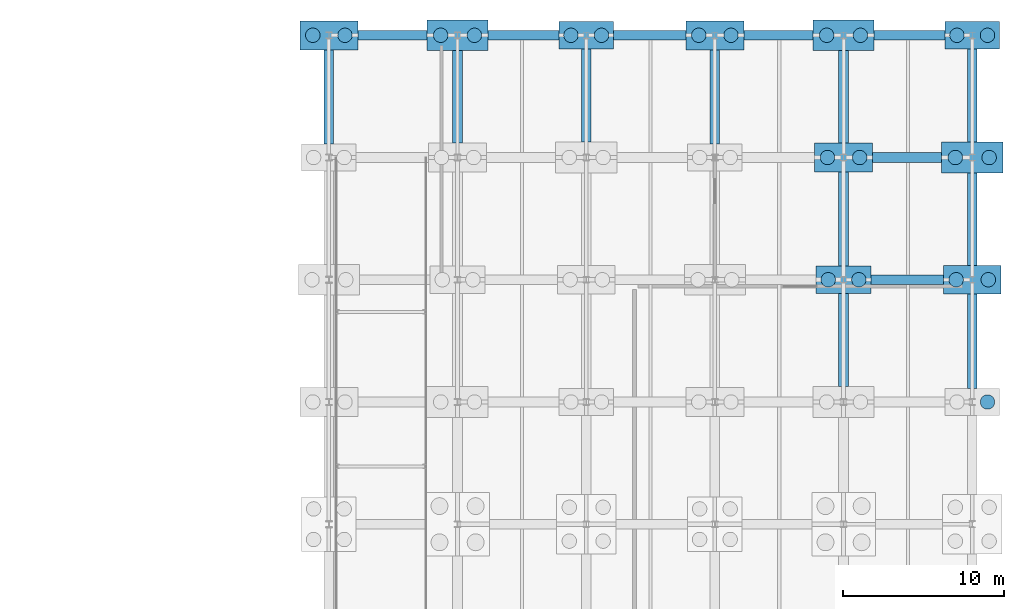
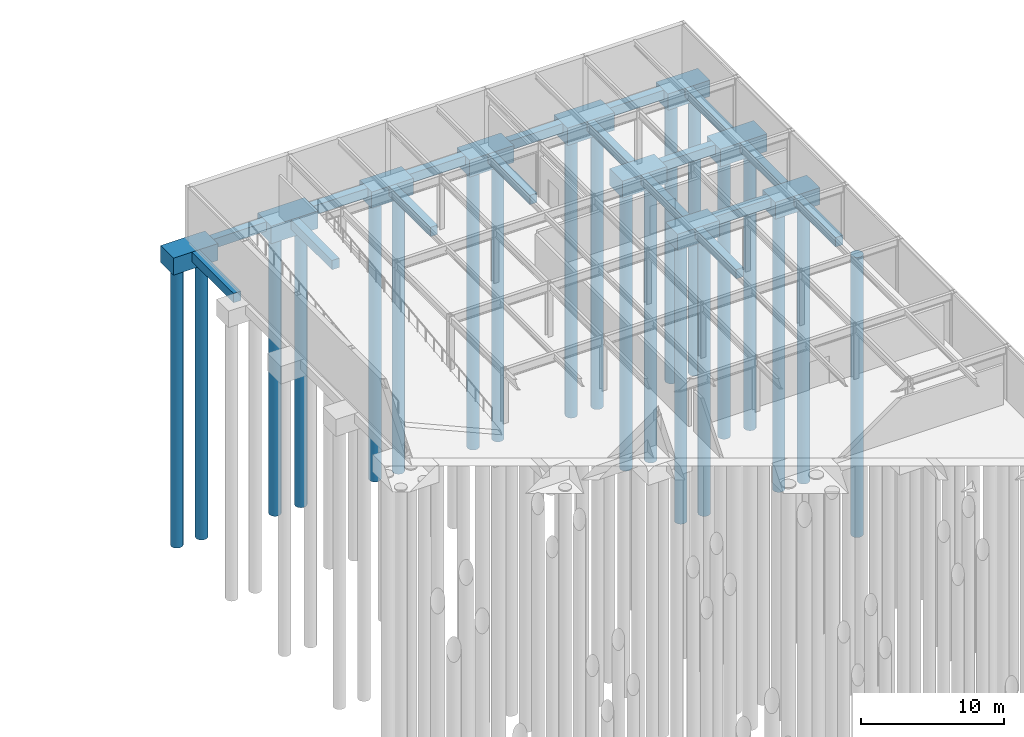
# One storey, part 4 of 21: 27 footings, 21 piles.
"""IFC4 building model written with IfcOpenShell, lengths in metres."""

from ifc_helpers import new_model, si_unit, direction, frame, origin, origin_2d, place, context, subcontext, project, spatial, rectangle, circle, extrude, material, material_profile, profile_set, type_object, element, save


model = new_model("IFC4")

# Units and contexts
model_context = context("Model", 3, precision=1e-05, world=origin(), true_north=direction((0.0, 1.0)))
body_context = subcontext(model_context, "Body", "Model", "MODEL_VIEW")
ifc_project = project(units=[si_unit("LENGTHUNIT", "METRE"), si_unit("AREAUNIT", "SQUARE_METRE"), si_unit("VOLUMEUNIT", "CUBIC_METRE"), si_unit("PLANEANGLEUNIT", "RADIAN"), si_unit("MASSUNIT", "GRAM", prefix="KILO")], contexts=[model_context])

# Site, building, storey
site_placement = place(None, origin())
site = spatial("IfcSite", under=ifc_project, at=site_placement, CompositionType="ELEMENT")
building_placement = place(site_placement, origin())
building = spatial("IfcBuilding", under=site, at=building_placement, Name="Zulena Civic Courthouse", CompositionType="ELEMENT")
storey_placement = place(building_placement, frame((0.0, 0.0, -4.800048828125)))
storey = spatial("IfcBuildingStorey", under=building, at=storey_placement, Name="B01", CompositionType="ELEMENT", Elevation=-4.800048828125)

# Piles
ifc_material_1 = material(Name="Concrete C40/50", Category="concrete")
ifc_material_profile_1 = material_profile(ifc_material_1, circle(Radius=0.449951171875, at=origin_2d()), Name="PILE900")
ifc_profile_set_1 = profile_set([ifc_material_profile_1], Name="Concrete C40/50")
pile_type = type_object("IfcPileType", Name="BoredPile_900", PredefinedType="BORED", material=ifc_profile_set_1)
for number, where, z_axis, x_axis, name in (
    (1, (67.0, 114.0, -1.800048828125), (0.0, 0.0, -1.0), (1.0, 0.0, 0.0), "pile:B01:034:1"),
    (2, (69.0, 114.0, -1.800048828125), (0.0, 0.0, -1.0), (1.0, 0.0, 0.0), "pile:B01:034:2"),
    (3, (74.949951171875, 114.0, -1.849853515625), (0.0, 0.0, -1.0), (1.0, 0.0, 0.0), "pile:B01:044:1"),
    (4, (77.050048828125, 114.0, -1.849853515625), (0.0, 0.0, -1.0), (1.0, 0.0, 0.0), "pile:B01:044:2"),
    (5, (83.050048828125, 114.0, -1.75), (0.0, 0.0, -1.0), (1.0, 0.0, 0.0), "pile:B01:054:1"),
    (6, (84.949951171875, 114.0, -1.75), (0.0, 0.0, -1.0), (1.0, 0.0, 0.0), "pile:B01:054:2"),
    (7, (91.0, 114.0, -1.800048828125), (0.0, 0.0, -1.0), (1.0, 0.0, 0.0), "pile:B01:064:1"),
    (8, (93.0, 114.0, -1.800048828125), (0.0, 0.0, -1.0), (1.0, 0.0, 0.0), "pile:B01:064:2"),
    (9, (99.050048828125, 98.800048828125, -1.75), (0.0, 0.0, -1.0), (1.0, 0.0, 0.0), "pile:B01:072:1"),
    (10, (100.949951171875, 98.800048828125, -1.75), (0.0, 0.0, -1.0), (1.0, 0.0, 0.0), "pile:B01:072:2"),
    (11, (99.0, 106.39990234375, -1.800048828125), (0.0, 0.0, -1.0), (1.0, 0.0, 0.0), "pile:B01:073:1"),
    (12, (101.0, 106.39990234375, -1.800048828125), (0.0, 0.0, -1.0), (1.0, 0.0, 0.0), "pile:B01:073:2"),
    (13, (98.949951171875, 114.0, -1.849853515625), (0.0, 0.0, -1.0), (1.0, 0.0, 0.0), "pile:B01:074:1"),
    (14, (101.050048828125, 114.0, -1.849853515625), (0.0, 0.0, -1.0), (1.0, 0.0, 0.0), "pile:B01:074:2"),
    (15, (108.949951171875, 91.199951171875, -1.75), (0.0, 0.0, -1.0), (1.0, 0.0, 0.0), "pile:B01:081:2"),
    (16, (107.0, 98.800048828125, -1.800048828125), (0.0, 0.0, -1.0), (1.0, 0.0, 0.0), "pile:B01:082:1"),
    (17, (109.0, 98.800048828125, -1.800048828125), (0.0, 0.0, -1.0), (1.0, 0.0, 0.0), "pile:B01:082:2"),
    (18, (106.949951171875, 106.39990234375, -1.849853515625), (0.0, 0.0, -1.0), (1.0, 0.0, 0.0), "pile:B01:083:1"),
    (19, (109.050048828125, 106.39990234375, -1.849853515625), (0.0, 0.0, -1.0), (1.0, 0.0, 0.0), "pile:B01:083:2"),
    (20, (107.050048828125, 114.0, -1.75), (0.0, 0.0, -1.0), (1.0, 0.0, 0.0), "pile:B01:084:1"),
    (21, (108.949951171875, 114.0, -1.75), (0.0, 0.0, -1.0), (1.0, 0.0, 0.0), "pile:B01:084:2"),
):
    element("IfcPile", number, at=place(storey_placement, frame(where, z_axis=z_axis, x_axis=x_axis)), inside=storey, type_object=pile_type, Name=name, PredefinedType="BORED", context=body_context, shape_type="SweptSolid", body=[
        extrude(circle(Radius=0.449951171875, at=origin_2d()), origin(), (0.0, 0.0, 1.0), 24.0),
    ])

# Footings
ifc_material_2 = material(Name="Concrete C35/45", Category="concrete")
ifc_material_profile_2 = material_profile(ifc_material_2, rectangle(XDim=0.60009765625, YDim=0.800048828125, at=origin_2d()), Name="RC600X800")
ifc_profile_set_2 = profile_set([ifc_material_profile_2], Name="Concrete C35/45")
footing_type_1 = type_object("IfcFootingType", Name="GroundBeam_600x800", PredefinedType="FOOTING_BEAM", material=ifc_profile_set_2)
footing_1_placement = place(storey_placement, frame((101.699951171875, 98.800048828125, -0.849853515625), z_axis=(1.0, 0.0, 0.0), x_axis=(0.0, 1.0, 0.0)))
element("IfcFooting", 22, at=footing_1_placement, inside=storey, type_object=footing_type_1, Name="gbeam:X:B01:064", PredefinedType="FOOTING_BEAM", context=body_context, shape_type="SweptSolid", body=[
    extrude(rectangle(XDim=0.60009765625, YDim=0.800048828125, at=origin_2d()), origin(), (0.0, 0.0, 1.0), 4.5),
])
for number, where, z_axis, x_axis, name in (
    (23, (101.800048828125, 106.39990234375, -0.849853515625), (1.0, 0.0, 0.0), (0.0, 1.0, 0.0), "gbeam:X:B01:069"),
    (24, (69.800048828125, 114.0, -0.849853515625), (1.0, 0.0, 0.0), (0.0, 1.0, 0.0), "gbeam:X:B01:070"),
):
    element("IfcFooting", number, at=place(storey_placement, frame(where, z_axis=z_axis, x_axis=x_axis)), inside=storey, type_object=footing_type_1, Name=name, PredefinedType="FOOTING_BEAM", context=body_context, shape_type="SweptSolid", body=[
        extrude(rectangle(XDim=0.60009765625, YDim=0.800048828125, at=origin_2d()), origin(), (0.0, 0.0, 1.0), 4.300048828125),
    ])
footing_2_placement = place(storey_placement, frame((77.89990234375, 114.0, -0.849853515625), z_axis=(1.0, 0.0, 0.0), x_axis=(0.0, 1.0, 0.0)))
element("IfcFooting", 25, at=footing_2_placement, inside=storey, type_object=footing_type_1, Name="gbeam:X:B01:071", PredefinedType="FOOTING_BEAM", context=body_context, shape_type="SweptSolid", body=[
    extrude(rectangle(XDim=0.60009765625, YDim=0.800048828125, at=origin_2d()), origin(), (0.0, 0.0, 1.0), 4.400146484375),
])
footing_3_placement = place(storey_placement, frame((85.699951171875, 114.0, -0.849853515625), z_axis=(1.0, 0.0, 0.0), x_axis=(0.0, 1.0, 0.0)))
element("IfcFooting", 26, at=footing_3_placement, inside=storey, type_object=footing_type_1, Name="gbeam:X:B01:072", PredefinedType="FOOTING_BEAM", context=body_context, shape_type="SweptSolid", body=[
    extrude(rectangle(XDim=0.60009765625, YDim=0.800048828125, at=origin_2d()), origin(), (0.0, 0.0, 1.0), 4.5),
])
footing_4_placement = place(storey_placement, frame((93.800048828125, 114.0, -0.849853515625), z_axis=(1.0, 0.0, 0.0), x_axis=(0.0, 1.0, 0.0)))
element("IfcFooting", 27, at=footing_4_placement, inside=storey, type_object=footing_type_1, Name="gbeam:X:B01:073", PredefinedType="FOOTING_BEAM", context=body_context, shape_type="SweptSolid", body=[
    extrude(rectangle(XDim=0.60009765625, YDim=0.800048828125, at=origin_2d()), origin(), (0.0, 0.0, 1.0), 4.300048828125),
])
footing_5_placement = place(storey_placement, frame((101.89990234375, 114.0, -0.849853515625), z_axis=(1.0, 0.0, 0.0), x_axis=(0.0, 1.0, 0.0)))
element("IfcFooting", 28, at=footing_5_placement, inside=storey, type_object=footing_type_1, Name="gbeam:X:B01:074", PredefinedType="FOOTING_BEAM", context=body_context, shape_type="SweptSolid", body=[
    extrude(rectangle(XDim=0.60009765625, YDim=0.800048828125, at=origin_2d()), origin(), (0.0, 0.0, 1.0), 4.400146484375),
])
footing_6_placement = place(storey_placement, frame((68.0, 107.25, -0.849853515625), z_axis=(0.0, 1.0, 0.0), x_axis=(-1.0, 0.0, 0.0)))
element("IfcFooting", 29, at=footing_6_placement, inside=storey, type_object=footing_type_1, Name="gbeam:Y:B01:099", PredefinedType="FOOTING_BEAM", context=body_context, shape_type="SweptSolid", body=[
    extrude(rectangle(XDim=0.60009765625, YDim=0.800048828125, at=origin_2d()), origin(), (0.0, 0.0, 1.0), 5.85009765625),
])
footing_7_placement = place(storey_placement, frame((76.0, 107.300048828125, -0.849853515625), z_axis=(0.0, 1.0, 0.0), x_axis=(-1.0, 0.0, 0.0)))
element("IfcFooting", 30, at=footing_7_placement, inside=storey, type_object=footing_type_1, Name="gbeam:Y:B01:108", PredefinedType="FOOTING_BEAM", context=body_context, shape_type="SweptSolid", body=[
    extrude(rectangle(XDim=0.60009765625, YDim=0.800048828125, at=origin_2d()), origin(), (0.0, 0.0, 1.0), 5.75),
])
footing_8_placement = place(storey_placement, frame((84.0, 107.35009765625, -0.849853515625), z_axis=(0.0, 1.0, 0.0), x_axis=(-1.0, 0.0, 0.0)))
element("IfcFooting", 31, at=footing_8_placement, inside=storey, type_object=footing_type_1, Name="gbeam:Y:B01:117", PredefinedType="FOOTING_BEAM", context=body_context, shape_type="SweptSolid", body=[
    extrude(rectangle(XDim=0.60009765625, YDim=0.800048828125, at=origin_2d()), origin(), (0.0, 0.0, 1.0), 5.7998046875),
])
footing_9_placement = place(storey_placement, frame((92.0, 107.25, -0.849853515625), z_axis=(0.0, 1.0, 0.0), x_axis=(-1.0, 0.0, 0.0)))
element("IfcFooting", 32, at=footing_9_placement, inside=storey, type_object=footing_type_1, Name="gbeam:Y:B01:126", PredefinedType="FOOTING_BEAM", context=body_context, shape_type="SweptSolid", body=[
    extrude(rectangle(XDim=0.60009765625, YDim=0.800048828125, at=origin_2d()), origin(), (0.0, 0.0, 1.0), 5.85009765625),
])
footing_10_placement = place(storey_placement, frame((100.0, 92.14990234375, -0.849853515625), z_axis=(0.0, 1.0, 0.0), x_axis=(-1.0, 0.0, 0.0)))
element("IfcFooting", 33, at=footing_10_placement, inside=storey, type_object=footing_type_1, Name="gbeam:Y:B01:133", PredefinedType="FOOTING_BEAM", context=body_context, shape_type="SweptSolid", body=[
    extrude(rectangle(XDim=0.60009765625, YDim=0.800048828125, at=origin_2d()), origin(), (0.0, 0.0, 1.0), 5.800048828125),
])
footing_11_placement = place(storey_placement, frame((100.0, 99.64990234375, -0.849853515625), z_axis=(0.0, 1.0, 0.0), x_axis=(-1.0, 0.0, 0.0)))
element("IfcFooting", 34, at=footing_11_placement, inside=storey, type_object=footing_type_1, Name="gbeam:Y:B01:134", PredefinedType="FOOTING_BEAM", context=body_context, shape_type="SweptSolid", body=[
    extrude(rectangle(XDim=0.60009765625, YDim=0.800048828125, at=origin_2d()), origin(), (0.0, 0.0, 1.0), 5.85009765625),
])
footing_12_placement = place(storey_placement, frame((100.0, 107.300048828125, -0.849853515625), z_axis=(0.0, 1.0, 0.0), x_axis=(-1.0, 0.0, 0.0)))
element("IfcFooting", 35, at=footing_12_placement, inside=storey, type_object=footing_type_1, Name="gbeam:Y:B01:135", PredefinedType="FOOTING_BEAM", context=body_context, shape_type="SweptSolid", body=[
    extrude(rectangle(XDim=0.60009765625, YDim=0.800048828125, at=origin_2d()), origin(), (0.0, 0.0, 1.0), 5.75),
])
footing_13_placement = place(storey_placement, frame((108.0, 92.050048828125, -0.849853515625), z_axis=(0.0, 1.0, 0.0), x_axis=(-1.0, 0.0, 0.0)))
element("IfcFooting", 36, at=footing_13_placement, inside=storey, type_object=footing_type_1, Name="gbeam:Y:B01:142", PredefinedType="FOOTING_BEAM", context=body_context, shape_type="SweptSolid", body=[
    extrude(rectangle(XDim=0.60009765625, YDim=0.800048828125, at=origin_2d()), origin(), (0.0, 0.0, 1.0), 5.849853515625),
])
footing_14_placement = place(storey_placement, frame((108.0, 99.699951171875, -0.849853515625), z_axis=(0.0, 1.0, 0.0), x_axis=(-1.0, 0.0, 0.0)))
element("IfcFooting", 37, at=footing_14_placement, inside=storey, type_object=footing_type_1, Name="gbeam:Y:B01:143", PredefinedType="FOOTING_BEAM", context=body_context, shape_type="SweptSolid", body=[
    extrude(rectangle(XDim=0.60009765625, YDim=0.800048828125, at=origin_2d()), origin(), (0.0, 0.0, 1.0), 5.75),
])
footing_15_placement = place(storey_placement, frame((108.0, 107.35009765625, -0.849853515625), z_axis=(0.0, 1.0, 0.0), x_axis=(-1.0, 0.0, 0.0)))
element("IfcFooting", 38, at=footing_15_placement, inside=storey, type_object=footing_type_1, Name="gbeam:Y:B01:144", PredefinedType="FOOTING_BEAM", context=body_context, shape_type="SweptSolid", body=[
    extrude(rectangle(XDim=0.60009765625, YDim=0.800048828125, at=origin_2d()), origin(), (0.0, 0.0, 1.0), 5.7998046875),
])
footing_type_2 = type_object("IfcFootingType", Name="PileCap_2P_3400x1700", PredefinedType="PILE_CAP", material=ifc_material_1)
for number, where, z_axis, x_axis, name in (
    (39, (84.0, 114.0, -1.849853515625), (0.0, 0.0, 1.0), (1.0, 0.0, 0.0), "cap:B01:054"),
    (40, (100.0, 98.800048828125, -1.849853515625), (0.0, 0.0, 1.0), (1.0, 0.0, 0.0), "cap:B01:072"),
    (41, (108.0, 114.0, -1.849853515625), (0.0, 0.0, 1.0), (1.0, 0.0, 0.0), "cap:B01:084"),
):
    element("IfcFooting", number, at=place(storey_placement, frame(where, z_axis=z_axis, x_axis=x_axis)), inside=storey, type_object=footing_type_2, Name=name, PredefinedType="PILE_CAP", context=body_context, shape_type="SweptSolid", body=[
        extrude(rectangle(XDim=3.39990234375, YDim=1.699951171875, at=origin_2d()), origin(), (0.0, 0.0, 1.0), 1.39990234375),
    ])
footing_type_3 = type_object("IfcFootingType", Name="PileCap_2P_3600x1800", PredefinedType="PILE_CAP", material=ifc_material_1)
for number, where, z_axis, x_axis, name in (
    (42, (68.0, 114.0, -1.89990234375), (0.0, 0.0, 1.0), (1.0, 0.0, 0.0), "cap:B01:034"),
    (43, (92.0, 114.0, -1.89990234375), (0.0, 0.0, 1.0), (1.0, 0.0, 0.0), "cap:B01:064"),
    (44, (100.0, 106.39990234375, -1.89990234375), (0.0, 0.0, 1.0), (1.0, 0.0, 0.0), "cap:B01:073"),
    (45, (108.0, 98.800048828125, -1.89990234375), (0.0, 0.0, 1.0), (1.0, 0.0, 0.0), "cap:B01:082"),
):
    element("IfcFooting", number, at=place(storey_placement, frame(where, z_axis=z_axis, x_axis=x_axis)), inside=storey, type_object=footing_type_3, Name=name, PredefinedType="PILE_CAP", context=body_context, shape_type="SweptSolid", body=[
        extrude(rectangle(XDim=3.60009765625, YDim=1.800048828125, at=origin_2d()), origin(), (0.0, 0.0, 1.0), 1.449951171875),
    ])
footing_type_4 = type_object("IfcFootingType", Name="PileCap_2P_3800x1900", PredefinedType="PILE_CAP", material=ifc_material_1)
for number, where, z_axis, x_axis, name in (
    (46, (76.0, 114.0, -1.949951171875), (0.0, 0.0, 1.0), (1.0, 0.0, 0.0), "cap:B01:044"),
    (47, (100.0, 114.0, -1.949951171875), (0.0, 0.0, 1.0), (1.0, 0.0, 0.0), "cap:B01:074"),
    (48, (108.0, 106.39990234375, -1.949951171875), (0.0, 0.0, 1.0), (1.0, 0.0, 0.0), "cap:B01:083"),
):
    element("IfcFooting", number, at=place(storey_placement, frame(where, z_axis=z_axis, x_axis=x_axis)), inside=storey, type_object=footing_type_4, Name=name, PredefinedType="PILE_CAP", context=body_context, shape_type="SweptSolid", body=[
        extrude(rectangle(XDim=3.800048828125, YDim=1.89990234375, at=origin_2d()), origin(), (0.0, 0.0, 1.0), 1.5),
    ])

save(model, "model.ifc")
